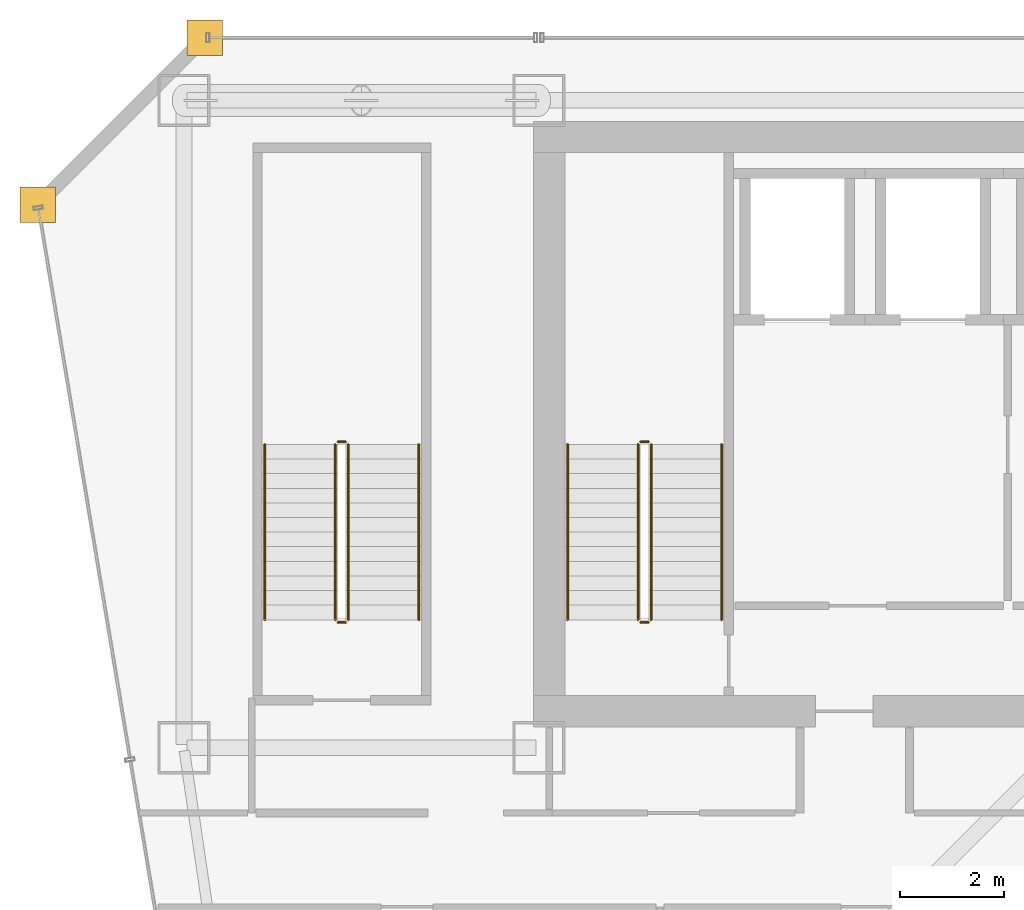
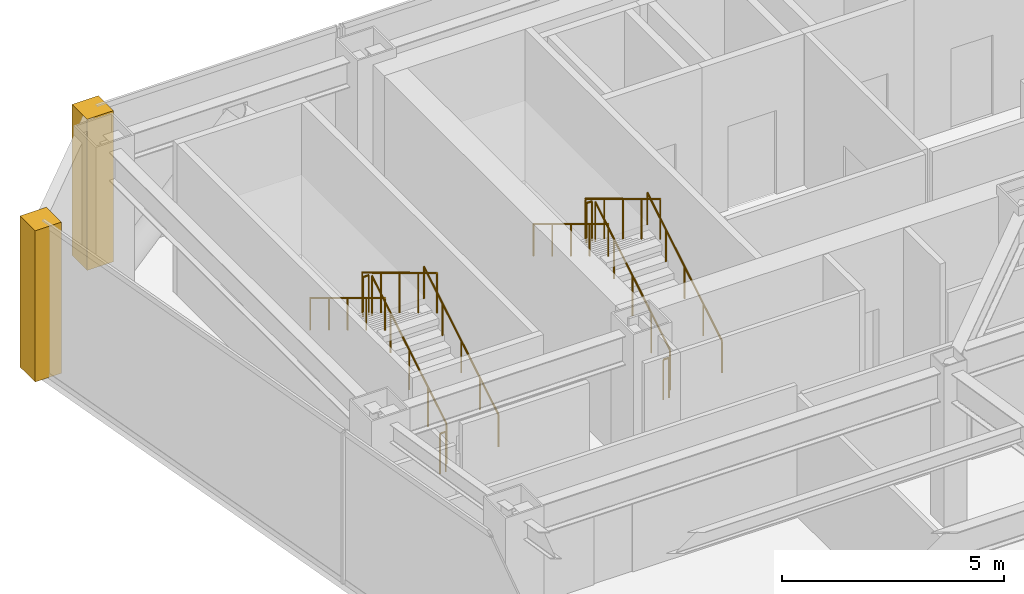
# One storey, part 36 of 37: 12 railings, 2 coverings.
"""IFC4 building model written with IfcOpenShell, lengths in metres."""

from ifc_helpers import new_model, si_unit, direction, frame, origin, origin_2d, place, context, subcontext, project, spatial, polyline, circle, outline, extrude, material, layer, layer_set, type_object, element, save


model = new_model("IFC4")

# Units and contexts
model_context = context("Model", 3, precision=1e-05, world=origin(), true_north=direction((0.0, 1.0)))
body_context = subcontext(model_context, "Body", "Model", "MODEL_VIEW")
ifc_project = project(units=[si_unit("LENGTHUNIT", "METRE"), si_unit("AREAUNIT", "SQUARE_METRE"), si_unit("VOLUMEUNIT", "CUBIC_METRE"), si_unit("PLANEANGLEUNIT", "RADIAN"), si_unit("MASSUNIT", "GRAM", prefix="KILO")], contexts=[model_context])

# Site, building, storey
site_placement = place(None, origin())
site = spatial("IfcSite", under=ifc_project, at=site_placement, CompositionType="ELEMENT")
building_placement = place(site_placement, origin())
building = spatial("IfcBuilding", under=site, at=building_placement, Name="Saevonmaru Cultural Tower", CompositionType="ELEMENT")
storey_placement = place(building_placement, frame((0.0, 0.0, 106.0)))
storey = spatial("IfcBuildingStorey", under=building, at=storey_placement, Name="L22", CompositionType="ELEMENT", Elevation=106.0)

# Coverings
ifc_material_1 = material(Name="Satin Bronze Anodised Aluminium", Category="aluminium")
ifc_layer = layer(ifc_material_1, 0.679931640625, Name="Satin Bronze Anodised Aluminium")
ifc_layer_set = layer_set([ifc_layer], Name="Satin Bronze Anodised Aluminium")
covering_type = type_object("IfcCoveringType", Name="CV-CORNER-CLAD", PredefinedType="CLADDING", material=ifc_layer_set)
covering_1_placement = place(storey_placement, origin())
element("IfcCovering", 1, at=covering_1_placement, inside=storey, type_object=covering_type, Name="L22 Tower Bronze Corner Cladding Pier 11", PredefinedType="CLADDING", context=body_context, shape_type="SweptSolid", body=[
    extrude(outline(polyline([(6.860107421875, 55.659912109375), (7.5400390625, 55.659912109375), (7.5400390625, 56.340087890625), (6.860107421875, 56.340087890625), (6.860107421875, 55.659912109375)])), origin(), (0.0, 0.0, 1.0), 4.14990234375),
])
covering_2_placement = place(storey_placement, origin())
element("IfcCovering", 2, at=covering_2_placement, inside=storey, type_object=covering_type, Name="L22 Tower Bronze Corner Cladding Pier 12", PredefinedType="CLADDING", context=body_context, shape_type="SweptSolid", body=[
    extrude(outline(polyline([(3.659912109375, 52.4599609375), (4.340087890625, 52.4599609375), (4.340087890625, 53.139892578125), (3.659912109375, 53.139892578125), (3.659912109375, 52.4599609375)])), origin(), (0.0, 0.0, 1.0), 4.14990234375),
])

# Railings
ifc_material_2 = material(Name="Architectural Painted Steel", Category="steel")
railing_type_1 = type_object("IfcRailingType", Name="RL-STAIR-GUARD", PredefinedType="GUARDRAIL", material=ifc_material_2)
railing_1_placement = place(storey_placement, frame((15.75, 44.85009765625, 0.169189453125)))
element("IfcRailing", 3, at=railing_1_placement, inside=storey, type_object=railing_type_1, Name="L22 ST-1 stair guard 1", PredefinedType="GUARDRAIL", context=body_context, shape_type="SweptSolid", body=[
    extrude(circle(Radius=0.02392578125, at=origin_2d()), frame((0.0, 0.0, 1.09619140625), z_axis=(0.0, 0.855820338506, 0.51727318527), x_axis=(-1.0, 0.0, 0.0)), (0.0, 0.0, 1.0), 3.92578125),
    extrude(circle(Radius=0.02099609375, at=origin_2d()), origin(), (0.0, 0.0, 1.0), 1.072021484375),
    extrude(circle(Radius=0.02099609375, at=origin_2d()), frame((0.0, 0.83984375, 0.5078125)), (0.0, 0.0, 1.0), 1.072021484375),
    extrude(circle(Radius=0.02099609375, at=origin_2d()), frame((0.0, 1.679931640625, 1.015380859375)), (0.0, 0.0, 1.0), 1.072021484375),
    extrude(circle(Radius=0.02099609375, at=origin_2d()), frame((0.0, 2.52001953125, 1.52294921875)), (0.0, 0.0, 1.0), 1.072021484375),
    extrude(circle(Radius=0.02099609375, at=origin_2d()), frame((0.0, 3.35986328125, 2.03076171875)), (0.0, 0.0, 1.0), 1.072021484375),
])
railing_2_placement = place(storey_placement, frame((15.699951171875, 48.260009765625, 2.199951171875)))
element("IfcRailing", 4, at=railing_2_placement, inside=storey, type_object=railing_type_1, Name="L22 ST-1 stair guard 2", PredefinedType="GUARDRAIL", context=body_context, shape_type="SweptSolid", body=[
    extrude(circle(Radius=0.02392578125, at=origin_2d()), frame((0.0, 0.0, 1.09619140625), z_axis=(-1.0, 0.0, 0.0), x_axis=(0.0, -1.0, 0.0)), (0.0, 0.0, 1.0), 0.14990234375),
    extrude(circle(Radius=0.02099609375, at=origin_2d()), origin(), (0.0, 0.0, 1.0), 1.072021484375),
    extrude(circle(Radius=0.02099609375, at=origin_2d()), frame((-0.14990234375, 0.0, 0.0)), (0.0, 0.0, 1.0), 1.072021484375),
])
railing_3_placement = place(storey_placement, frame((15.5, 48.2099609375, 2.369140625)))
element("IfcRailing", 5, at=railing_3_placement, inside=storey, type_object=railing_type_1, Name="L22 ST-1 stair guard 3", PredefinedType="GUARDRAIL", context=body_context, shape_type="SweptSolid", body=[
    extrude(circle(Radius=0.02392578125, at=origin_2d()), frame((0.0, 0.0, 1.09619140625), z_axis=(0.0, -0.855820338506, 0.51727318527), x_axis=(1.0, 0.0, 0.0)), (0.0, 0.0, 1.0), 3.92578125),
    extrude(circle(Radius=0.02099609375, at=origin_2d()), origin(), (0.0, 0.0, 1.0), 1.072021484375),
    extrude(circle(Radius=0.02099609375, at=origin_2d()), frame((0.0, -0.83984375, 0.5078125)), (0.0, 0.0, 1.0), 1.072021484375),
    extrude(circle(Radius=0.02099609375, at=origin_2d()), frame((0.0, -1.679931640625, 1.015380859375)), (0.0, 0.0, 1.0), 1.072021484375),
    extrude(circle(Radius=0.02099609375, at=origin_2d()), frame((0.0, -2.52001953125, 1.52294921875)), (0.0, 0.0, 1.0), 1.072021484375),
    extrude(circle(Radius=0.02099609375, at=origin_2d()), frame((0.0, -3.35986328125, 2.03076171875)), (0.0, 0.0, 1.0), 1.072021484375),
])
railing_4_placement = place(storey_placement, frame((15.699951171875, 44.800048828125, 0.0)))
element("IfcRailing", 6, at=railing_4_placement, inside=storey, type_object=railing_type_1, Name="L22 ST-1 stair guard 4", PredefinedType="GUARDRAIL", context=body_context, shape_type="SweptSolid", body=[
    extrude(circle(Radius=0.02392578125, at=origin_2d()), frame((0.0, 0.0, 1.09619140625), z_axis=(-1.0, 0.0, 0.0), x_axis=(0.0, -1.0, 0.0)), (0.0, 0.0, 1.0), 0.14990234375),
    extrude(circle(Radius=0.02099609375, at=origin_2d()), origin(), (0.0, 0.0, 1.0), 1.072021484375),
    extrude(circle(Radius=0.02099609375, at=origin_2d()), frame((-0.14990234375, 0.0, 0.0)), (0.0, 0.0, 1.0), 1.072021484375),
])
railing_5_placement = place(storey_placement, frame((9.949951171875, 44.85009765625, 0.169189453125)))
element("IfcRailing", 7, at=railing_5_placement, inside=storey, type_object=railing_type_1, Name="L22 ST-3 stair guard 1", PredefinedType="GUARDRAIL", context=body_context, shape_type="SweptSolid", body=[
    extrude(circle(Radius=0.02392578125, at=origin_2d()), frame((0.0, 0.0, 1.09619140625), z_axis=(0.0, 0.855820338506, 0.51727318527), x_axis=(-1.0, 0.0, 0.0)), (0.0, 0.0, 1.0), 3.92578125),
    extrude(circle(Radius=0.02099609375, at=origin_2d()), origin(), (0.0, 0.0, 1.0), 1.072021484375),
    extrude(circle(Radius=0.02099609375, at=origin_2d()), frame((0.0, 0.83984375, 0.5078125)), (0.0, 0.0, 1.0), 1.072021484375),
    extrude(circle(Radius=0.02099609375, at=origin_2d()), frame((0.0, 1.679931640625, 1.015380859375)), (0.0, 0.0, 1.0), 1.072021484375),
    extrude(circle(Radius=0.02099609375, at=origin_2d()), frame((0.0, 2.52001953125, 1.52294921875)), (0.0, 0.0, 1.0), 1.072021484375),
    extrude(circle(Radius=0.02099609375, at=origin_2d()), frame((0.0, 3.35986328125, 2.03076171875)), (0.0, 0.0, 1.0), 1.072021484375),
])
railing_6_placement = place(storey_placement, frame((9.89990234375, 48.260009765625, 2.199951171875)))
element("IfcRailing", 8, at=railing_6_placement, inside=storey, type_object=railing_type_1, Name="L22 ST-3 stair guard 2", PredefinedType="GUARDRAIL", context=body_context, shape_type="SweptSolid", body=[
    extrude(circle(Radius=0.02392578125, at=origin_2d()), frame((0.0, 0.0, 1.09619140625), z_axis=(-1.0, 0.0, 0.0), x_axis=(0.0, -1.0, 0.0)), (0.0, 0.0, 1.0), 0.14990234375),
    extrude(circle(Radius=0.02099609375, at=origin_2d()), origin(), (0.0, 0.0, 1.0), 1.072021484375),
    extrude(circle(Radius=0.02099609375, at=origin_2d()), frame((-0.14990234375, 0.0, 0.0)), (0.0, 0.0, 1.0), 1.072021484375),
])
railing_7_placement = place(storey_placement, frame((9.699951171875, 48.2099609375, 2.369140625)))
element("IfcRailing", 9, at=railing_7_placement, inside=storey, type_object=railing_type_1, Name="L22 ST-3 stair guard 3", PredefinedType="GUARDRAIL", context=body_context, shape_type="SweptSolid", body=[
    extrude(circle(Radius=0.02392578125, at=origin_2d()), frame((0.0, 0.0, 1.09619140625), z_axis=(0.0, -0.855820338506, 0.51727318527), x_axis=(1.0, 0.0, 0.0)), (0.0, 0.0, 1.0), 3.92578125),
    extrude(circle(Radius=0.02099609375, at=origin_2d()), origin(), (0.0, 0.0, 1.0), 1.072021484375),
    extrude(circle(Radius=0.02099609375, at=origin_2d()), frame((0.0, -0.83984375, 0.5078125)), (0.0, 0.0, 1.0), 1.072021484375),
    extrude(circle(Radius=0.02099609375, at=origin_2d()), frame((0.0, -1.679931640625, 1.015380859375)), (0.0, 0.0, 1.0), 1.072021484375),
    extrude(circle(Radius=0.02099609375, at=origin_2d()), frame((0.0, -2.52001953125, 1.52294921875)), (0.0, 0.0, 1.0), 1.072021484375),
    extrude(circle(Radius=0.02099609375, at=origin_2d()), frame((0.0, -3.35986328125, 2.03076171875)), (0.0, 0.0, 1.0), 1.072021484375),
])
railing_8_placement = place(storey_placement, frame((9.89990234375, 44.800048828125, 0.0)))
element("IfcRailing", 10, at=railing_8_placement, inside=storey, type_object=railing_type_1, Name="L22 ST-3 stair guard 4", PredefinedType="GUARDRAIL", context=body_context, shape_type="SweptSolid", body=[
    extrude(circle(Radius=0.02392578125, at=origin_2d()), frame((0.0, 0.0, 1.09619140625), z_axis=(-1.0, 0.0, 0.0), x_axis=(0.0, -1.0, 0.0)), (0.0, 0.0, 1.0), 0.14990234375),
    extrude(circle(Radius=0.02099609375, at=origin_2d()), origin(), (0.0, 0.0, 1.0), 1.072021484375),
    extrude(circle(Radius=0.02099609375, at=origin_2d()), frame((-0.14990234375, 0.0, 0.0)), (0.0, 0.0, 1.0), 1.072021484375),
])
railing_type_2 = type_object("IfcRailingType", Name="RL-STAIR-HANDRAIL", PredefinedType="HANDRAIL", material=ifc_material_1)
railing_9_placement = place(storey_placement, frame((17.10009765625, 44.85009765625, 0.169189453125)))
element("IfcRailing", 11, at=railing_9_placement, inside=storey, type_object=railing_type_2, Name="L22 ST-1 stair handrail 1", PredefinedType="HANDRAIL", context=body_context, shape_type="SweptSolid", body=[
    extrude(circle(Radius=0.02392578125, at=origin_2d()), frame((0.0, 0.0, 0.8759765625), z_axis=(0.0, 0.855820338506, 0.51727318527), x_axis=(-1.0, 0.0, 0.0)), (0.0, 0.0, 1.0), 3.92578125),
    extrude(circle(Radius=0.02099609375, at=origin_2d()), origin(), (0.0, 0.0, 1.0), 0.851806640625),
    extrude(circle(Radius=0.02099609375, at=origin_2d()), frame((0.0, 0.83984375, 0.5078125)), (0.0, 0.0, 1.0), 0.851806640625),
    extrude(circle(Radius=0.02099609375, at=origin_2d()), frame((0.0, 1.679931640625, 1.015380859375)), (0.0, 0.0, 1.0), 0.851806640625),
    extrude(circle(Radius=0.02099609375, at=origin_2d()), frame((0.0, 2.52001953125, 1.52294921875)), (0.0, 0.0, 1.0), 0.851806640625),
    extrude(circle(Radius=0.02099609375, at=origin_2d()), frame((0.0, 3.35986328125, 2.03076171875)), (0.0, 0.0, 1.0), 0.851806640625),
])
railing_10_placement = place(storey_placement, frame((14.14990234375, 48.2099609375, 2.369140625)))
element("IfcRailing", 12, at=railing_10_placement, inside=storey, type_object=railing_type_2, Name="L22 ST-1 stair handrail 2", PredefinedType="HANDRAIL", context=body_context, shape_type="SweptSolid", body=[
    extrude(circle(Radius=0.02392578125, at=origin_2d()), frame((0.0, 0.0, 0.8759765625), z_axis=(0.0, -0.855820338506, 0.51727318527), x_axis=(1.0, 0.0, 0.0)), (0.0, 0.0, 1.0), 3.92578125),
    extrude(circle(Radius=0.02099609375, at=origin_2d()), origin(), (0.0, 0.0, 1.0), 0.851806640625),
    extrude(circle(Radius=0.02099609375, at=origin_2d()), frame((0.0, -0.83984375, 0.5078125)), (0.0, 0.0, 1.0), 0.851806640625),
    extrude(circle(Radius=0.02099609375, at=origin_2d()), frame((0.0, -1.679931640625, 1.015380859375)), (0.0, 0.0, 1.0), 0.851806640625),
    extrude(circle(Radius=0.02099609375, at=origin_2d()), frame((0.0, -2.52001953125, 1.52294921875)), (0.0, 0.0, 1.0), 0.851806640625),
    extrude(circle(Radius=0.02099609375, at=origin_2d()), frame((0.0, -3.35986328125, 2.03076171875)), (0.0, 0.0, 1.0), 0.851806640625),
])
railing_11_placement = place(storey_placement, frame((11.300048828125, 44.85009765625, 0.169189453125)))
element("IfcRailing", 13, at=railing_11_placement, inside=storey, type_object=railing_type_2, Name="L22 ST-3 stair handrail 1", PredefinedType="HANDRAIL", context=body_context, shape_type="SweptSolid", body=[
    extrude(circle(Radius=0.02392578125, at=origin_2d()), frame((0.0, 0.0, 0.8759765625), z_axis=(0.0, 0.855820338506, 0.51727318527), x_axis=(-1.0, 0.0, 0.0)), (0.0, 0.0, 1.0), 3.92578125),
    extrude(circle(Radius=0.02099609375, at=origin_2d()), origin(), (0.0, 0.0, 1.0), 0.851806640625),
    extrude(circle(Radius=0.02099609375, at=origin_2d()), frame((0.0, 0.83984375, 0.5078125)), (0.0, 0.0, 1.0), 0.851806640625),
    extrude(circle(Radius=0.02099609375, at=origin_2d()), frame((0.0, 1.679931640625, 1.015380859375)), (0.0, 0.0, 1.0), 0.851806640625),
    extrude(circle(Radius=0.02099609375, at=origin_2d()), frame((0.0, 2.52001953125, 1.52294921875)), (0.0, 0.0, 1.0), 0.851806640625),
    extrude(circle(Radius=0.02099609375, at=origin_2d()), frame((0.0, 3.35986328125, 2.03076171875)), (0.0, 0.0, 1.0), 0.851806640625),
])
railing_12_placement = place(storey_placement, frame((8.35009765625, 48.2099609375, 2.369140625)))
element("IfcRailing", 14, at=railing_12_placement, inside=storey, type_object=railing_type_2, Name="L22 ST-3 stair handrail 2", PredefinedType="HANDRAIL", context=body_context, shape_type="SweptSolid", body=[
    extrude(circle(Radius=0.02392578125, at=origin_2d()), frame((0.0, 0.0, 0.8759765625), z_axis=(0.0, -0.855820338506, 0.51727318527), x_axis=(1.0, 0.0, 0.0)), (0.0, 0.0, 1.0), 3.92578125),
    extrude(circle(Radius=0.02099609375, at=origin_2d()), origin(), (0.0, 0.0, 1.0), 0.851806640625),
    extrude(circle(Radius=0.02099609375, at=origin_2d()), frame((0.0, -0.83984375, 0.5078125)), (0.0, 0.0, 1.0), 0.851806640625),
    extrude(circle(Radius=0.02099609375, at=origin_2d()), frame((0.0, -1.679931640625, 1.015380859375)), (0.0, 0.0, 1.0), 0.851806640625),
    extrude(circle(Radius=0.02099609375, at=origin_2d()), frame((0.0, -2.52001953125, 1.52294921875)), (0.0, 0.0, 1.0), 0.851806640625),
    extrude(circle(Radius=0.02099609375, at=origin_2d()), frame((0.0, -3.35986328125, 2.03076171875)), (0.0, 0.0, 1.0), 0.851806640625),
])

save(model, "model.ifc")
